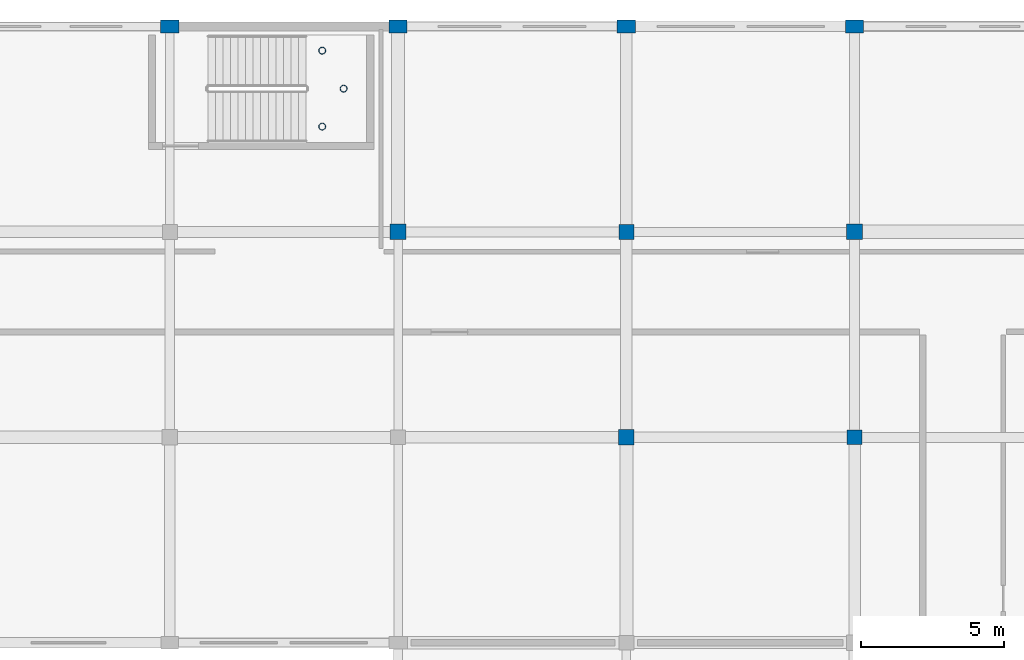
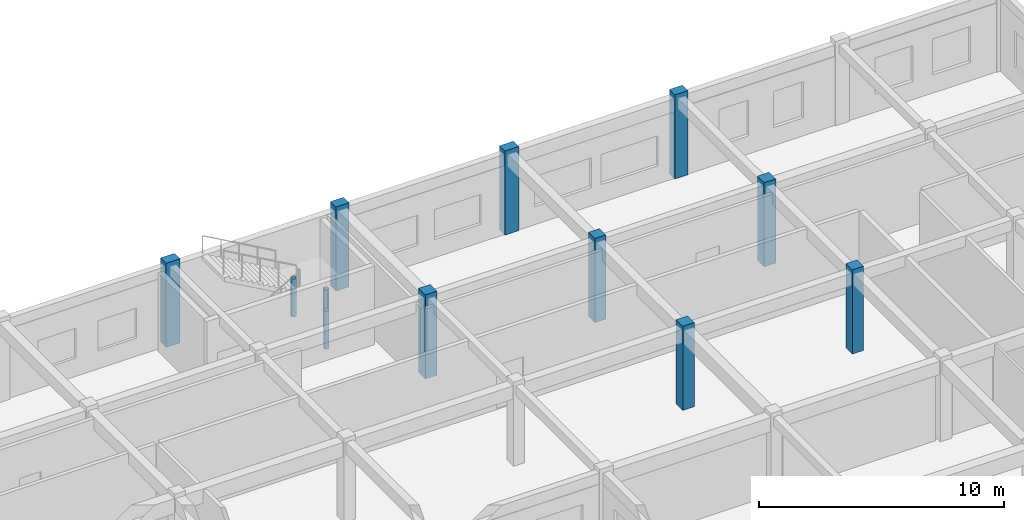
# One storey, part 4 of 19: 12 columns.
"""IFC4 building model written with IfcOpenShell, lengths in metres."""

from ifc_helpers import new_model, si_unit, direction, frame, origin, origin_2d, place, context, subcontext, project, spatial, rectangle, hollow_circle, extrude, material, material_profile, profile_set, type_object, element, save


model = new_model("IFC4")

# Units and contexts
model_context = context("Model", 3, precision=1e-05, world=origin(), true_north=direction((0.0, 1.0)))
body_context = subcontext(model_context, "Body", "Model", "MODEL_VIEW")
ifc_project = project(units=[si_unit("LENGTHUNIT", "METRE"), si_unit("AREAUNIT", "SQUARE_METRE"), si_unit("VOLUMEUNIT", "CUBIC_METRE"), si_unit("PLANEANGLEUNIT", "RADIAN"), si_unit("MASSUNIT", "GRAM", prefix="KILO")], contexts=[model_context])

# Site, building, storey
site_placement = place(None, origin())
site = spatial("IfcSite", under=ifc_project, at=site_placement, CompositionType="ELEMENT")
building_placement = place(site_placement, origin())
building = spatial("IfcBuilding", under=site, at=building_placement, Name="Kharva Crest Polytechnic", CompositionType="ELEMENT")
storey_placement = place(building_placement, frame((0.0, 0.0, 21.60009765625)))
storey = spatial("IfcBuildingStorey", under=building, at=storey_placement, Name="L05", CompositionType="ELEMENT", Elevation=21.60009765625)

# Columns
ifc_material_1 = material(Name="Concrete C40/50", Category="concrete")
ifc_material_profile_1 = material_profile(ifc_material_1, rectangle(XDim=0.6201171875, YDim=0.449951171875, at=origin_2d()), Name="RECT 620 X 450")
ifc_profile_set_1 = profile_set([ifc_material_profile_1], Name="Concrete C40/50")
column_type_1 = type_object("IfcColumnType", Name="COL-EXT-620X450", PredefinedType="COLUMN", material=ifc_profile_set_1)
for number, where, z_axis, x_axis, name in (
    (1, (152.800048828125, 122.0, 0.0), (0.0, 0.0, 1.0), (1.0, 0.0, 0.0), "L05 Column 20/S"),
    (2, (168.800048828125, 122.0, 0.0), (0.0, 0.0, 1.0), (1.0, 0.0, 0.0), "L05 Column 22/S"),
):
    element("IfcColumn", number, at=place(storey_placement, frame(where, z_axis=z_axis, x_axis=x_axis)), inside=storey, type_object=column_type_1, Name=name, PredefinedType="COLUMN", context=body_context, shape_type="SweptSolid", body=[
        extrude(rectangle(XDim=0.6201171875, YDim=0.449951171875, at=origin_2d()), origin(), (0.0, 0.0, 1.0), 4.199951171875),
    ])
ifc_material_profile_2 = material_profile(ifc_material_1, rectangle(XDim=0.64990234375, YDim=0.449951171875, at=origin_2d()), Name="RECT 650 X 450")
ifc_profile_set_2 = profile_set([ifc_material_profile_2], Name="Concrete C40/50")
column_type_2 = type_object("IfcColumnType", Name="COL-EXT-650X450", PredefinedType="COLUMN", material=ifc_profile_set_2)
for number, where, z_axis, x_axis, name in (
    (3, (144.800048828125, 122.0, 0.0), (0.0, 0.0, 1.0), (1.0, 0.0, 0.0), "L05 Column 19/S"),
    (4, (160.800048828125, 122.0, 0.0), (0.0, 0.0, 1.0), (1.0, 0.0, 0.0), "L05 Column 21/S"),
):
    element("IfcColumn", number, at=place(storey_placement, frame(where, z_axis=z_axis, x_axis=x_axis)), inside=storey, type_object=column_type_2, Name=name, PredefinedType="COLUMN", context=body_context, shape_type="SweptSolid", body=[
        extrude(rectangle(XDim=0.64990234375, YDim=0.449951171875, at=origin_2d()), origin(), (0.0, 0.0, 1.0), 4.199951171875),
    ])
ifc_material_profile_3 = material_profile(ifc_material_1, rectangle(XDim=0.52001953125, YDim=0.52001953125, at=origin_2d()), Name="RECT 520 X 520")
ifc_profile_set_3 = profile_set([ifc_material_profile_3], Name="Concrete C40/50")
column_type_3 = type_object("IfcColumnType", Name="COL-INT-520X520", PredefinedType="COLUMN", material=ifc_profile_set_3)
for number, where, z_axis, x_axis, name in (
    (5, (160.800048828125, 114.800048828125, 0.0), (0.0, 0.0, 1.0), (1.0, 0.0, 0.0), "L05 Column 21/R"),
    (6, (168.800048828125, 107.60009765625, 0.0), (0.0, 0.0, 1.0), (1.0, 0.0, 0.0), "L05 Column 22/Q"),
):
    element("IfcColumn", number, at=place(storey_placement, frame(where, z_axis=z_axis, x_axis=x_axis)), inside=storey, type_object=column_type_3, Name=name, PredefinedType="COLUMN", context=body_context, shape_type="SweptSolid", body=[
        extrude(rectangle(XDim=0.52001953125, YDim=0.52001953125, at=origin_2d()), origin(), (0.0, 0.0, 1.0), 4.199951171875),
    ])
ifc_material_profile_4 = material_profile(ifc_material_1, rectangle(XDim=0.550048828125, YDim=0.550048828125, at=origin_2d()), Name="RECT 550 X 550")
ifc_profile_set_4 = profile_set([ifc_material_profile_4], Name="Concrete C40/50")
column_type_4 = type_object("IfcColumnType", Name="COL-INT-550X550", PredefinedType="COLUMN", material=ifc_profile_set_4)
for number, where, z_axis, x_axis, name in (
    (7, (152.800048828125, 114.800048828125, 0.0), (0.0, 0.0, 1.0), (1.0, 0.0, 0.0), "L05 Column 20/R"),
    (8, (160.800048828125, 107.60009765625, 0.0), (0.0, 0.0, 1.0), (1.0, 0.0, 0.0), "L05 Column 21/Q"),
    (9, (168.800048828125, 114.800048828125, 0.0), (0.0, 0.0, 1.0), (1.0, 0.0, 0.0), "L05 Column 22/R"),
):
    element("IfcColumn", number, at=place(storey_placement, frame(where, z_axis=z_axis, x_axis=x_axis)), inside=storey, type_object=column_type_4, Name=name, PredefinedType="COLUMN", context=body_context, shape_type="SweptSolid", body=[
        extrude(rectangle(XDim=0.550048828125, YDim=0.550048828125, at=origin_2d()), origin(), (0.0, 0.0, 1.0), 4.199951171875),
    ])
ifc_material_2 = material(Name="Steel S355", Category="steel")
ifc_material_profile_5 = material_profile(ifc_material_2, hollow_circle(Radius=0.122314453125, WallThickness=0.010009765625, at=origin_2d()), Name="CHS 244.5X10.0")
ifc_profile_set_5 = profile_set([ifc_material_profile_5], Name="Steel S355")
column_type_5 = type_object("IfcColumnType", Name="COL-STL-CHS244", PredefinedType="COLUMN", material=ifc_profile_set_5)
for number, where, z_axis, x_axis, name in (
    (10, (150.139892578125, 118.489990234375, 0.0), (0.0, 0.0, 1.0), (1.0, 0.0, 0.0), "L05 Stair ST-09 Landing Support Column SW"),
    (11, (150.139892578125, 121.14990234375, 0.0), (0.0, 0.0, 1.0), (1.0, 0.0, 0.0), "L05 Stair ST-09 Landing Support Column NW"),
    (12, (150.889892578125, 119.820068359375, 0.0), (0.0, 0.0, 1.0), (1.0, 0.0, 0.0), "L05 Stair ST-09 Landing Support Column EM"),
):
    element("IfcColumn", number, at=place(storey_placement, frame(where, z_axis=z_axis, x_axis=x_axis)), inside=storey, type_object=column_type_5, Name=name, PredefinedType="COLUMN", context=body_context, shape_type="SweptSolid", body=[
        extrude(hollow_circle(Radius=0.122314453125, WallThickness=0.010009765625, at=origin_2d()), origin(), (0.0, 0.0, 1.0), 1.89990234375),
    ])

save(model, "model.ifc")
